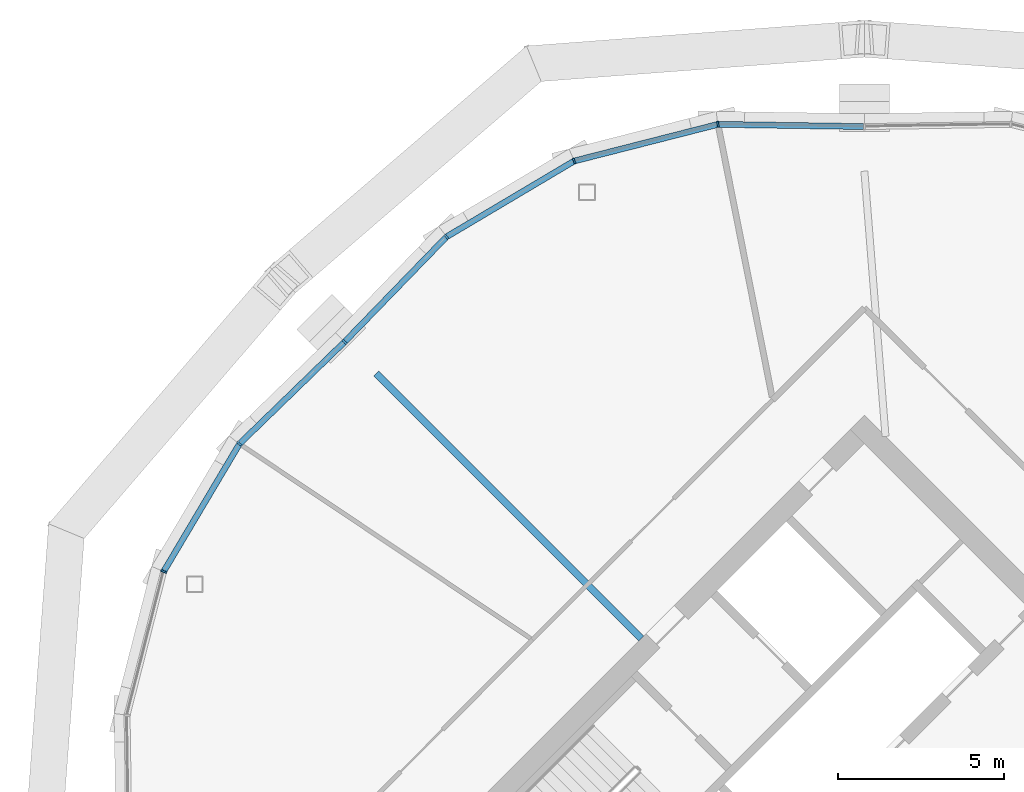
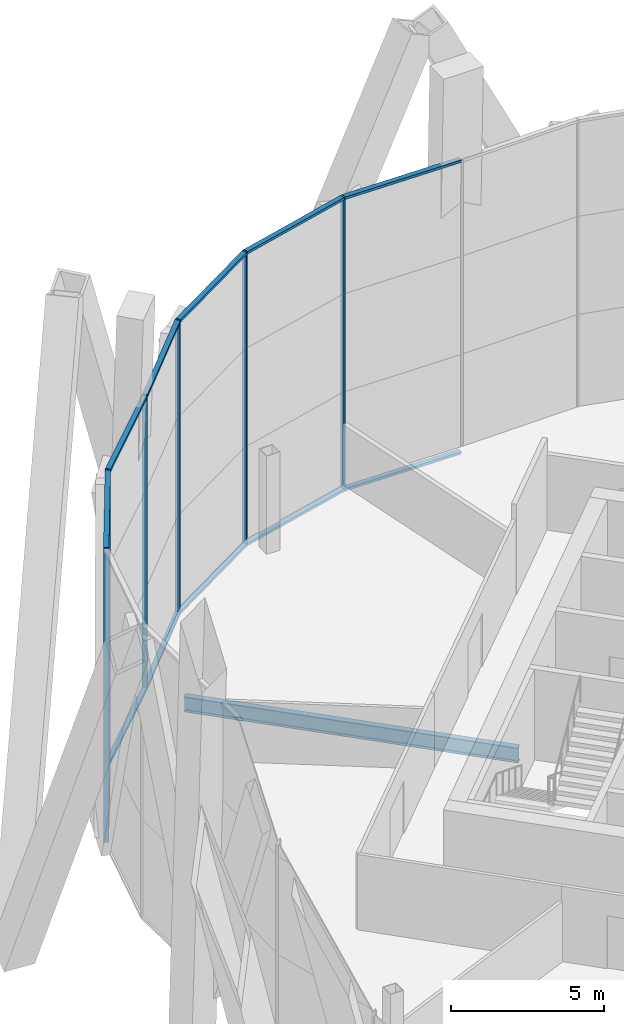
# One storey, part 10 of 23: 18 members, 1 beam, 2 elements without a shape of their own.
"""IFC4 building model written with IfcOpenShell, lengths in metres."""

from ifc_helpers import new_model, si_unit, direction, frame, origin, origin_2d, place, context, subcontext, project, spatial, rectangle, i_section, extrude, material, material_profile, profile_set, type_object, element, aggregate, save


model = new_model("IFC4")

# Units and contexts
model_context = context("Model", 3, precision=1e-05, world=origin(), true_north=direction((0.0, 1.0)))
body_context = subcontext(model_context, "Body", "Model", "MODEL_VIEW")
ifc_project = project(units=[si_unit("LENGTHUNIT", "METRE"), si_unit("AREAUNIT", "SQUARE_METRE"), si_unit("VOLUMEUNIT", "CUBIC_METRE"), si_unit("PLANEANGLEUNIT", "RADIAN"), si_unit("MASSUNIT", "GRAM", prefix="KILO")], contexts=[model_context])

# Site, building, storey
site_placement = place(None, origin())
site = spatial("IfcSite", under=ifc_project, at=site_placement, CompositionType="ELEMENT")
building_placement = place(site_placement, origin())
building = spatial("IfcBuilding", under=site, at=building_placement, Name="Ogive Gate Towers", CompositionType="ELEMENT")
storey_placement = place(building_placement, frame((0.0, 0.0, 165.60009765625)))
storey = spatial("IfcBuildingStorey", under=building, at=storey_placement, Name="L39", CompositionType="ELEMENT", Elevation=165.60009765625)

# Beam
ifc_material_1 = material(Name="Steel SM355", Category="steel")
ifc_material_profile_1 = material_profile(ifc_material_1, i_section(OverallWidth=0.219970703125, OverallDepth=0.60009765625, WebThickness=0.011962890625, FlangeThickness=0.01904296875, FilletRadius=0.02392578125, at=origin_2d()), Name="IPE 600")
ifc_profile_set_1 = profile_set([ifc_material_profile_1], Name="Steel SM355")
beam_type = type_object("IfcBeamType", Name="Radial floor beam IPE 600", PredefinedType="BEAM", material=ifc_profile_set_1)
beam_placement = place(storey_placement, frame((29.282470703125, 6.717529296875, -0.60009765625), z_axis=(-0.707106781187, 0.707106781187, 0.0), x_axis=(-0.707106781187, -0.707106781187, 0.0)))
element("IfcBeam", 1, at=beam_placement, inside=storey, type_object=beam_type, Name="T2/L39/SBM007", PredefinedType="BEAM", context=body_context, shape_type="SweptSolid", body=[
    extrude(i_section(OverallWidth=0.219970703125, OverallDepth=0.60009765625, WebThickness=0.011962890625, FlangeThickness=0.01904296875, FilletRadius=0.02392578125, at=origin_2d()), origin(), (0.0, 0.0, 1.0), 11.278076171875),
])

# Curtain wall, members
ifc_material_2 = material(Name="Pale metal aluminium", Category="aluminium")
curtain_wall_type = type_object("IfcCurtainWallType", Name="Tower unitised wall, high zone", PredefinedType="NOTDEFINED", material=ifc_material_2)
curtain_wall_1_placement = place(storey_placement, origin())
curtain_wall_1 = element("IfcCurtainWall", 2, at=curtain_wall_1_placement, inside=storey, type_object=curtain_wall_type, Name="CW2 T2 ECW03", PredefinedType="NOTDEFINED")
ifc_material_profile_2 = material_profile(ifc_material_2, rectangle(XDim=0.179931640625, YDim=0.06005859375, at=origin_2d()), Name="60 x 180 aluminium box")
ifc_profile_set_2 = profile_set([ifc_material_profile_2], Name="Pale metal aluminium")
member_type_1 = type_object("IfcMemberType", Name="Tower unitised wall, high zone mullion 60 x 180", PredefinedType="MULLION", material=ifc_profile_set_2)
member_1_placement = place(storey_placement, frame((31.593994140625, 22.1875, -0.300048828125), z_axis=(0.0, 0.0, 1.0), x_axis=(-0.116948078113, 0.993138030198, 0.0)))
member_1 = element("IfcMember", 3, at=member_1_placement, type_object=member_type_1, Name="CW2 mullion", PredefinedType="MULLION", context=body_context, shape_type="SweptSolid", body=[
    extrude(rectangle(XDim=0.179931640625, YDim=0.06005859375, at=origin_2d()), origin(), (0.0, 0.0, 1.0), 11.699951171875),
])
member_2_placement = place(storey_placement, frame((27.2666015625, 21.083984375, -0.300048828125), z_axis=(0.0, 0.0, 1.0), x_axis=(-0.382683432365, 0.923879532511, 0.0)))
member_2 = element("IfcMember", 4, at=member_2_placement, type_object=member_type_1, Name="CW2 mullion", PredefinedType="MULLION", context=body_context, shape_type="SweptSolid", body=[
    extrude(rectangle(XDim=0.179931640625, YDim=0.06005859375, at=origin_2d()), origin(), (0.0, 0.0, 1.0), 11.699951171875),
])
member_3_placement = place(storey_placement, frame((23.4267578125, 18.804443359375, -0.300048828125), z_axis=(0.0, 0.0, 1.0), x_axis=(-0.619559856727, 0.784949414887, 0.0)))
member_3 = element("IfcMember", 5, at=member_3_placement, type_object=member_type_1, Name="CW2 mullion", PredefinedType="MULLION", context=body_context, shape_type="SweptSolid", body=[
    extrude(rectangle(XDim=0.179931640625, YDim=0.06005859375, at=origin_2d()), origin(), (0.0, 0.0, 1.0), 11.699951171875),
])
member_4_placement = place(storey_placement, frame((20.35888671875, 15.641357421875, -0.300048828125), z_axis=(0.0, 0.0, 1.0), x_axis=(-0.717810428625, 0.696238600306, 0.0)))
member_4 = element("IfcMember", 6, at=member_4_placement, type_object=member_type_1, Name="CW2 mullion", PredefinedType="MULLION", context=body_context, shape_type="SweptSolid", body=[
    extrude(rectangle(XDim=0.179931640625, YDim=0.06005859375, at=origin_2d()), origin(), (0.0, 0.0, 1.0), 11.699951171875),
])

curtain_wall_2_placement = place(storey_placement, origin())
curtain_wall_2 = element("IfcCurtainWall", 7, at=curtain_wall_2_placement, inside=storey, type_object=curtain_wall_type, Name="CW2 T2 ECW04", PredefinedType="NOTDEFINED")
member_5_placement = place(storey_placement, frame((17.195556640625, 12.5732421875, -0.300048828125), z_axis=(0.0, 0.0, 1.0), x_axis=(-0.784949414887, 0.619559856727, 0.0)))
member_5 = element("IfcMember", 8, at=member_5_placement, type_object=member_type_1, Name="CW2 mullion", PredefinedType="MULLION", context=body_context, shape_type="SweptSolid", body=[
    extrude(rectangle(XDim=0.179931640625, YDim=0.06005859375, at=origin_2d()), origin(), (0.0, 0.0, 1.0), 11.699951171875),
])
member_6_placement = place(storey_placement, frame((14.916015625, 8.7333984375, -0.300048828125), z_axis=(0.0, 0.0, 1.0), x_axis=(-0.923879532511, 0.382683432365, 0.0)))
member_6 = element("IfcMember", 9, at=member_6_placement, type_object=member_type_1, Name="CW2 mullion", PredefinedType="MULLION", context=body_context, shape_type="SweptSolid", body=[
    extrude(rectangle(XDim=0.179931640625, YDim=0.06005859375, at=origin_2d()), origin(), (0.0, 0.0, 1.0), 11.699951171875),
])

# Member
ifc_material_profile_3 = material_profile(ifc_material_2, rectangle(XDim=0.179931640625, YDim=0.10009765625, at=origin_2d()), Name="100 x 180 aluminium box")
ifc_profile_set_3 = profile_set([ifc_material_profile_3], Name="Pale metal aluminium")
member_type_2 = type_object("IfcMemberType", Name="Tower unitised wall, high zone transom 100 x 180", PredefinedType="USERDEFINED", material=ifc_profile_set_3)
member_7_placement = place(storey_placement, frame((35.969970703125, 22.12060546875, 11.349853515625), z_axis=(-0.999884215177, 0.015216972107, 0.0), x_axis=(-0.015216972107, -0.999884215177, 0.0)))
member_7 = element("IfcMember", 10, at=member_7_placement, type_object=member_type_2, Name="CW2 transom", ObjectType="TRANSOM", PredefinedType="USERDEFINED", context=body_context, shape_type="SweptSolid", body=[
    extrude(rectangle(XDim=0.179931640625, YDim=0.10009765625, at=origin_2d()), origin(), (0.0, 0.0, 1.0), 4.347900390625),
])

member_8_placement = place(storey_placement, frame((35.969970703125, 22.12060546875, -0.25), z_axis=(-0.999884215177, 0.015216972107, 0.0), x_axis=(-0.015216972107, -0.999884215177, 0.0)))
member_8 = element("IfcMember", 11, at=member_8_placement, type_object=member_type_2, Name="CW2 transom", ObjectType="TRANSOM", PredefinedType="USERDEFINED", context=body_context, shape_type="SweptSolid", body=[
    extrude(rectangle(XDim=0.179931640625, YDim=0.10009765625, at=origin_2d()), origin(), (0.0, 0.0, 1.0), 4.347900390625),
])

member_9_placement = place(storey_placement, frame((31.566162109375, 22.18017578125, 11.349853515625), z_axis=(-0.968988279215, -0.247106686967, 0.0), x_axis=(0.247106686967, -0.968988279215, 0.0)))
member_9 = element("IfcMember", 12, at=member_9_placement, type_object=member_type_2, Name="CW2 transom", ObjectType="TRANSOM", PredefinedType="USERDEFINED", context=body_context, shape_type="SweptSolid", body=[
    extrude(rectangle(XDim=0.179931640625, YDim=0.10009765625, at=origin_2d()), origin(), (0.0, 0.0, 1.0), 4.408447265625),
])

member_10_placement = place(storey_placement, frame((31.566162109375, 22.18017578125, -0.25), z_axis=(-0.968988279215, -0.247106686967, 0.0), x_axis=(0.247106686967, -0.968988279215, 0.0)))
member_10 = element("IfcMember", 13, at=member_10_placement, type_object=member_type_2, Name="CW2 transom", ObjectType="TRANSOM", PredefinedType="USERDEFINED", context=body_context, shape_type="SweptSolid", body=[
    extrude(rectangle(XDim=0.179931640625, YDim=0.10009765625, at=origin_2d()), origin(), (0.0, 0.0, 1.0), 4.408447265625),
])

member_11_placement = place(storey_placement, frame((27.2421875, 21.069091796875, 11.349853515625), z_axis=(-0.859907161712, -0.5104504611, 0.0), x_axis=(0.5104504611, -0.859907161712, 0.0)))
member_11 = element("IfcMember", 14, at=member_11_placement, type_object=member_type_2, Name="CW2 transom", ObjectType="TRANSOM", PredefinedType="USERDEFINED", context=body_context, shape_type="SweptSolid", body=[
    extrude(rectangle(XDim=0.179931640625, YDim=0.10009765625, at=origin_2d()), origin(), (0.0, 0.0, 1.0), 4.408447265625),
])

member_12_placement = place(storey_placement, frame((27.2421875, 21.069091796875, -0.25), z_axis=(-0.859907161712, -0.5104504611, 0.0), x_axis=(0.5104504611, -0.859907161712, 0.0)))
member_12 = element("IfcMember", 15, at=member_12_placement, type_object=member_type_2, Name="CW2 transom", ObjectType="TRANSOM", PredefinedType="USERDEFINED", context=body_context, shape_type="SweptSolid", body=[
    extrude(rectangle(XDim=0.179931640625, YDim=0.10009765625, at=origin_2d()), origin(), (0.0, 0.0, 1.0), 4.408447265625),
])

member_13_placement = place(storey_placement, frame((23.40673828125, 18.78369140625, 11.349853515625), z_axis=(-0.696214239877, -0.717834056166, 0.0), x_axis=(0.717834056166, -0.696214239877, 0.0)))
member_13 = element("IfcMember", 16, at=member_13_placement, type_object=member_type_2, Name="CW2 transom", ObjectType="TRANSOM", PredefinedType="USERDEFINED", context=body_context, shape_type="SweptSolid", body=[
    extrude(rectangle(XDim=0.179931640625, YDim=0.10009765625, at=origin_2d()), origin(), (0.0, 0.0, 1.0), 4.34765625),
])

member_14_placement = place(storey_placement, frame((23.40673828125, 18.78369140625, -0.25), z_axis=(-0.696214239877, -0.717834056166, 0.0), x_axis=(0.717834056166, -0.696214239877, 0.0)))
member_14 = element("IfcMember", 17, at=member_14_placement, type_object=member_type_2, Name="CW2 transom", ObjectType="TRANSOM", PredefinedType="USERDEFINED", context=body_context, shape_type="SweptSolid", body=[
    extrude(rectangle(XDim=0.179931640625, YDim=0.10009765625, at=origin_2d()), origin(), (0.0, 0.0, 1.0), 4.34765625),
])

aggregate(curtain_wall_1, [member_1, member_7, member_8, member_2, member_9, member_10, member_3, member_11, member_12, member_4, member_13, member_14])

member_15_placement = place(storey_placement, frame((20.337158203125, 15.6201171875, 11.349853515625), z_axis=(-0.717834056166, -0.696214239877, 0.0), x_axis=(0.696214239877, -0.717834056166, 0.0)))
member_15 = element("IfcMember", 18, at=member_15_placement, type_object=member_type_2, Name="CW2 transom", ObjectType="TRANSOM", PredefinedType="USERDEFINED", context=body_context, shape_type="SweptSolid", body=[
    extrude(rectangle(XDim=0.179931640625, YDim=0.10009765625, at=origin_2d()), origin(), (0.0, 0.0, 1.0), 4.34765625),
])

member_16_placement = place(storey_placement, frame((20.337158203125, 15.6201171875, -0.25), z_axis=(-0.717834056166, -0.696214239877, 0.0), x_axis=(0.696214239877, -0.717834056166, 0.0)))
member_16 = element("IfcMember", 19, at=member_16_placement, type_object=member_type_2, Name="CW2 transom", ObjectType="TRANSOM", PredefinedType="USERDEFINED", context=body_context, shape_type="SweptSolid", body=[
    extrude(rectangle(XDim=0.179931640625, YDim=0.10009765625, at=origin_2d()), origin(), (0.0, 0.0, 1.0), 4.34765625),
])

member_17_placement = place(storey_placement, frame((17.18115234375, 12.548583984375, 11.349853515625), z_axis=(-0.5104504611, -0.859907161712, 0.0), x_axis=(0.859907161712, -0.5104504611, 0.0)))
member_17 = element("IfcMember", 20, at=member_17_placement, type_object=member_type_2, Name="CW2 transom", ObjectType="TRANSOM", PredefinedType="USERDEFINED", context=body_context, shape_type="SweptSolid", body=[
    extrude(rectangle(XDim=0.179931640625, YDim=0.10009765625, at=origin_2d()), origin(), (0.0, 0.0, 1.0), 4.408447265625),
])

member_18_placement = place(storey_placement, frame((17.18115234375, 12.548583984375, -0.25), z_axis=(-0.5104504611, -0.859907161712, 0.0), x_axis=(0.859907161712, -0.5104504611, 0.0)))
member_18 = element("IfcMember", 21, at=member_18_placement, type_object=member_type_2, Name="CW2 transom", ObjectType="TRANSOM", PredefinedType="USERDEFINED", context=body_context, shape_type="SweptSolid", body=[
    extrude(rectangle(XDim=0.179931640625, YDim=0.10009765625, at=origin_2d()), origin(), (0.0, 0.0, 1.0), 4.408447265625),
])

aggregate(curtain_wall_2, [member_5, member_15, member_16, member_6, member_17, member_18])

save(model, "model.ifc")
